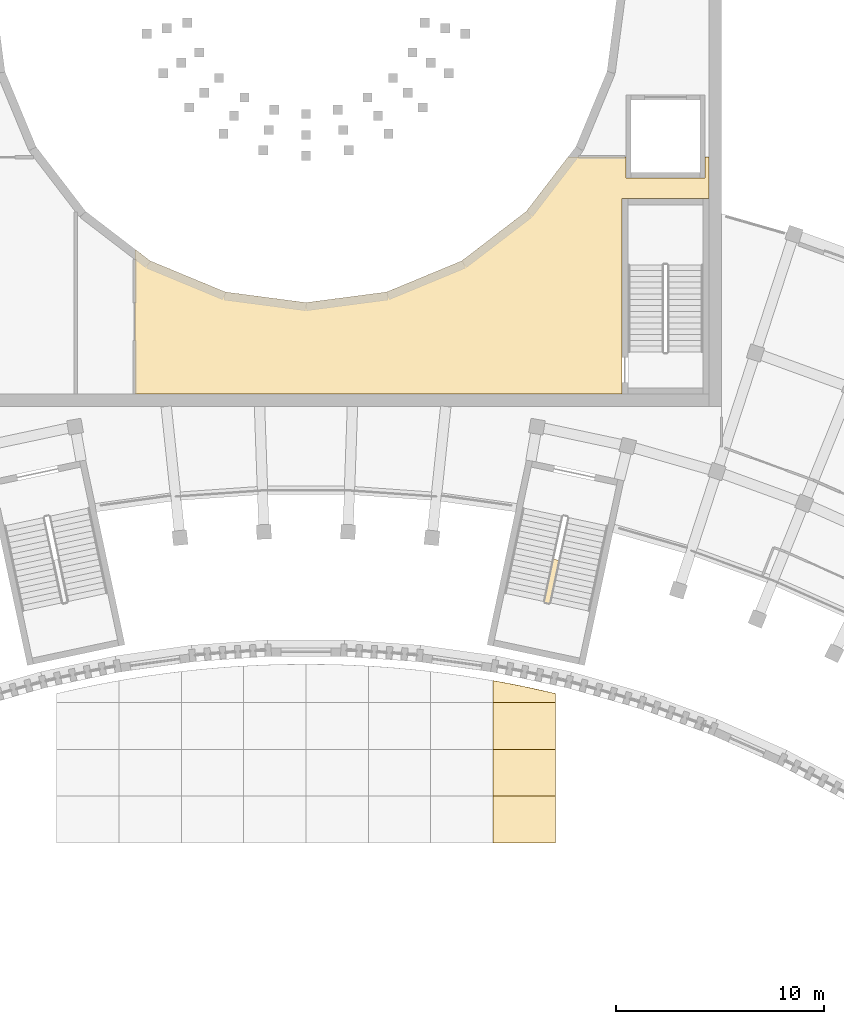
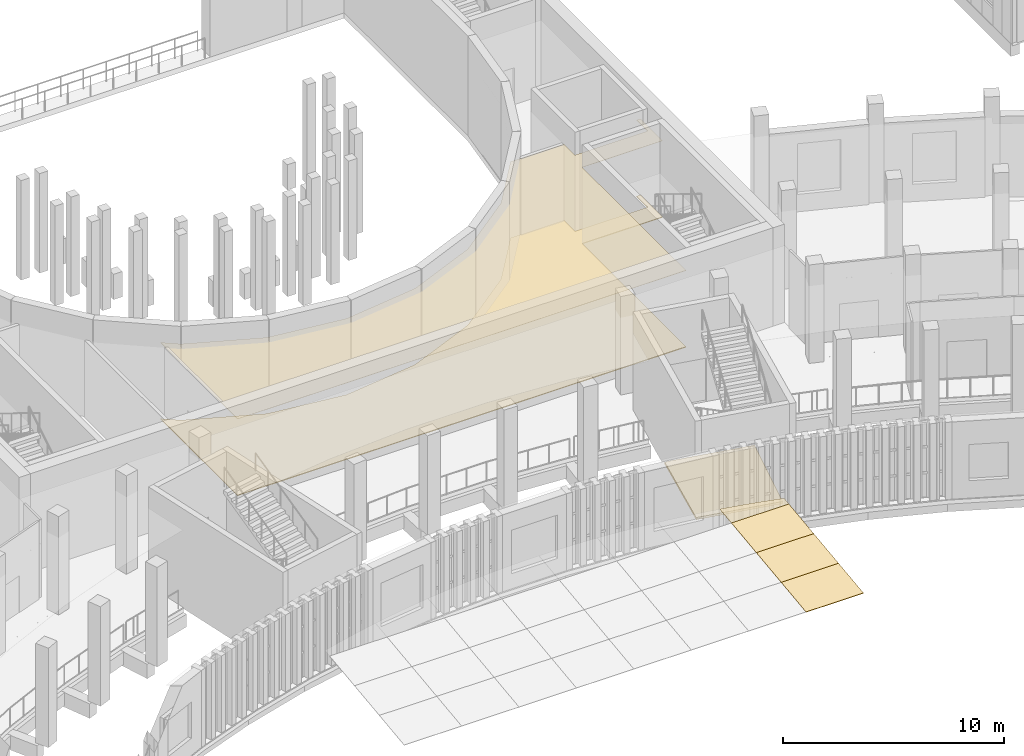
# One storey, part 85 of 112: 7 coverings.
"""IFC4 building model written with IfcOpenShell, lengths in metres."""

from ifc_helpers import new_model, si_unit, direction, frame, origin, place, context, subcontext, project, spatial, polyline, outline, extrude, material, layer, layer_set, type_object, element, save


model = new_model("IFC4")

# Units and contexts
model_context = context("Model", 3, precision=1e-05, world=origin(), true_north=direction((0.0, 1.0)))
body_context = subcontext(model_context, "Body", "Model", "MODEL_VIEW")
ifc_project = project(units=[si_unit("LENGTHUNIT", "METRE"), si_unit("AREAUNIT", "SQUARE_METRE"), si_unit("VOLUMEUNIT", "CUBIC_METRE"), si_unit("PLANEANGLEUNIT", "RADIAN"), si_unit("MASSUNIT", "GRAM", prefix="KILO")], contexts=[model_context])

# Site, building, storey
site_placement = place(None, origin())
site = spatial("IfcSite", under=ifc_project, at=site_placement, CompositionType="ELEMENT")
building_placement = place(site_placement, origin())
building = spatial("IfcBuilding", under=site, at=building_placement, Name="Lunette Opera House", CompositionType="ELEMENT")
storey_placement = place(building_placement, frame((0.0, 0.0, 6.0)))
storey = spatial("IfcBuildingStorey", under=building, at=storey_placement, Name="L01", CompositionType="ELEMENT", Elevation=6.0)

# Coverings
ifc_material_1 = material(Name="Zinc standing seam roofing")
ifc_layer_1 = layer(ifc_material_1, 0.030029296875)
ifc_layer_set_1 = layer_set([ifc_layer_1], Name="Zinc standing seam roofing")
covering_type_1 = type_object("IfcCoveringType", Name="CANOPY ROOFING 30", PredefinedType="ROOFING", material=ifc_layer_set_1)
covering_1_placement = place(storey_placement, frame((105.0, 43.0, 0.64990234375), z_axis=(0.0, -0.121383101341, 0.992605733768), x_axis=(0.0, 0.992605733768, 0.121383101341)))
element("IfcCovering", 1, at=covering_1_placement, inside=storey, type_object=covering_type_1, Name="Canopy roofing 700", PredefinedType="ROOFING", context=body_context, shape_type="SweptSolid", body=[
    extrude(outline(polyline([(0.0, 0.0), (2.2667610345742055, 0.0), (2.2667610345742055, -3.0), (0.0, -3.0), (0.0, 0.0)])), origin(), (0.0, 0.0, -1.0), 0.030029296875),
])
covering_2_placement = place(storey_placement, frame((105.0, 45.25, 0.925048828125), z_axis=(0.0, -0.12127698155, 0.992618705116), x_axis=(0.0, 0.992618705116, 0.12127698155)))
element("IfcCovering", 2, at=covering_2_placement, inside=storey, type_object=covering_type_1, Name="Canopy roofing 710", PredefinedType="ROOFING", context=body_context, shape_type="SweptSolid", body=[
    extrude(outline(polyline([(0.0, 0.0), (2.2667314129819713, 0.0), (2.2667314129819713, -3.0), (0.0, -3.0), (0.0, 0.0)])), origin(), (0.0, 0.0, -1.0), 0.030029296875),
])
covering_3_placement = place(storey_placement, frame((105.0, 47.5, 1.199951171875), z_axis=(0.0, -0.121383101341, 0.992605733768), x_axis=(0.0, 0.992605733768, 0.121383101341)))
element("IfcCovering", 3, at=covering_3_placement, inside=storey, type_object=covering_type_1, Name="Canopy roofing 720", PredefinedType="ROOFING", context=body_context, shape_type="SweptSolid", body=[
    extrude(outline(polyline([(0.0, 0.0), (2.2667610345742055, 0.0), (2.2667610345742055, -3.0), (0.0, -3.0), (0.0, 0.0)])), origin(), (0.0, 0.0, -1.0), 0.030029296875),
])
covering_4_placement = place(storey_placement, frame((108.0, 49.75, 1.47509765625), z_axis=(-4.7598111e-05, -0.121130497894, 0.992636590205), x_axis=(-0.999999998867, 5.765583e-06, -4.7247627e-05)))
element("IfcCovering", 4, at=covering_4_placement, inside=storey, type_object=covering_type_1, Name="Canopy roofing 730", PredefinedType="ROOFING", context=body_context, shape_type="SweptSolid", body=[
    extrude(outline(polyline([(0.0, 0.0), (2.9999999966016295, 0.0), (3.0000000066820434, -1.0659286840291848), (2.762939448667447, -1.0236542446567878), (1.9331054584647742, -0.8652787213016163), (1.106933585456693, -0.692126039874171), (0.28295900587560596, -0.5056206850057864), (-3.731945032036277e-10, -0.437303021840097), (0.0, 0.0)])), origin(), (0.0, 0.0, -1.0), 0.030029296875),
])
ifc_material_2 = material(Name="Bitumen membrane on mineral wool")
ifc_layer_2 = layer(ifc_material_2, 0.1201171875)
ifc_layer_set_2 = layer_set([ifc_layer_2], Name="Bitumen membrane on mineral wool")
covering_type_2 = type_object("IfcCoveringType", Name="FLAT ROOF MEMBRANE 120", PredefinedType="ROOFING", material=ifc_layer_set_2)
covering_5_placement = place(storey_placement, origin())
element("IfcCovering", 5, at=covering_5_placement, inside=storey, type_object=covering_type_2, Name="Flat roof membrane FC L00 11", PredefinedType="ROOFING", context=body_context, shape_type="SweptSolid", body=[
    extrude(outline(polyline([(104.7958984375, 52.590087890625), (105.7529296875, 57.093017578125), (106.06005859375, 57.050048828125), (109.946044921875, 56.22412109375), (108.825927734375, 51.73291015625), (104.7958984375, 52.590087890625)])), origin(), (0.0, 0.0, 1.0), 0.1201171875),
])
ifc_material_3 = material(Name="Mineral fibre board")
ifc_layer_3 = layer(ifc_material_3, 0.014892578125)
ifc_layer_set_3 = layer_set([ifc_layer_3], Name="Mineral fibre board")
covering_type_3 = type_object("IfcCoveringType", Name="SUSPENDED ACOUSTIC CEILING 15", PredefinedType="CEILING", material=ifc_layer_set_3)
covering_6_placement = place(storey_placement, frame((0.0, 0.0, 4.235107421875)))
element("IfcCovering", 6, at=covering_6_placement, inside=storey, type_object=covering_type_3, Name="Ceiling Side Boxes Lower", PredefinedType="CEILING", context=body_context, shape_type="SweptSolid", body=[
    extrude(outline(polyline([(87.763916015625, 64.60009765625), (87.763916015625, 71.573974609375), (88.5, 71.010009765625), (92.117919921875, 69.510986328125), (96.0, 69.0), (99.882080078125, 69.510986328125), (103.5, 71.010009765625), (106.60693359375, 73.39306640625), (108.60693359375, 76.0), (111.39990234375, 76.0), (111.39990234375, 75.0), (115.199951171875, 75.0), (115.199951171875, 76.0), (115.39990234375, 76.0), (115.39990234375, 74.0), (111.199951171875, 74.0), (111.199951171875, 64.60009765625), (87.763916015625, 64.60009765625)])), origin(), (0.0, 0.0, 1.0), 0.014892578125),
])
ifc_material_4 = material(Name="Timber", Category="wood")
ifc_layer_4 = layer(ifc_material_4, 0.0400390625)
ifc_layer_set_4 = layer_set([ifc_layer_4], Name="Timber")
covering_type_4 = type_object("IfcCoveringType", Name="TIMBER FLOOR FINISH 40", PredefinedType="FLOORING", material=ifc_layer_set_4)
covering_7_placement = place(storey_placement, origin())
element("IfcCovering", 7, at=covering_7_placement, inside=storey, type_object=covering_type_4, Name="Floor finish Side Boxes Lower", PredefinedType="FLOORING", context=body_context, shape_type="SweptSolid", body=[
    extrude(outline(polyline([(87.763916015625, 64.60009765625), (87.763916015625, 71.573974609375), (88.5, 71.010009765625), (92.117919921875, 69.510986328125), (96.0, 69.0), (99.882080078125, 69.510986328125), (103.5, 71.010009765625), (106.60693359375, 73.39306640625), (108.60693359375, 76.0), (111.39990234375, 76.0), (111.39990234375, 75.0), (115.199951171875, 75.0), (115.199951171875, 76.0), (115.39990234375, 76.0), (115.39990234375, 74.0), (111.199951171875, 74.0), (111.199951171875, 64.60009765625), (87.763916015625, 64.60009765625)])), origin(), (0.0, 0.0, 1.0), 0.0400390625),
])

save(model, "model.ifc")
